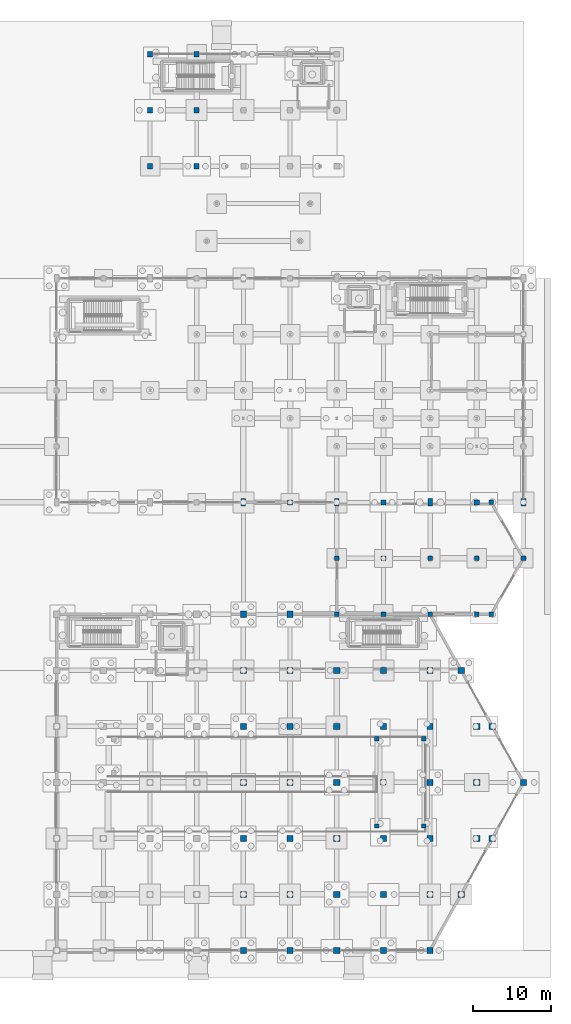
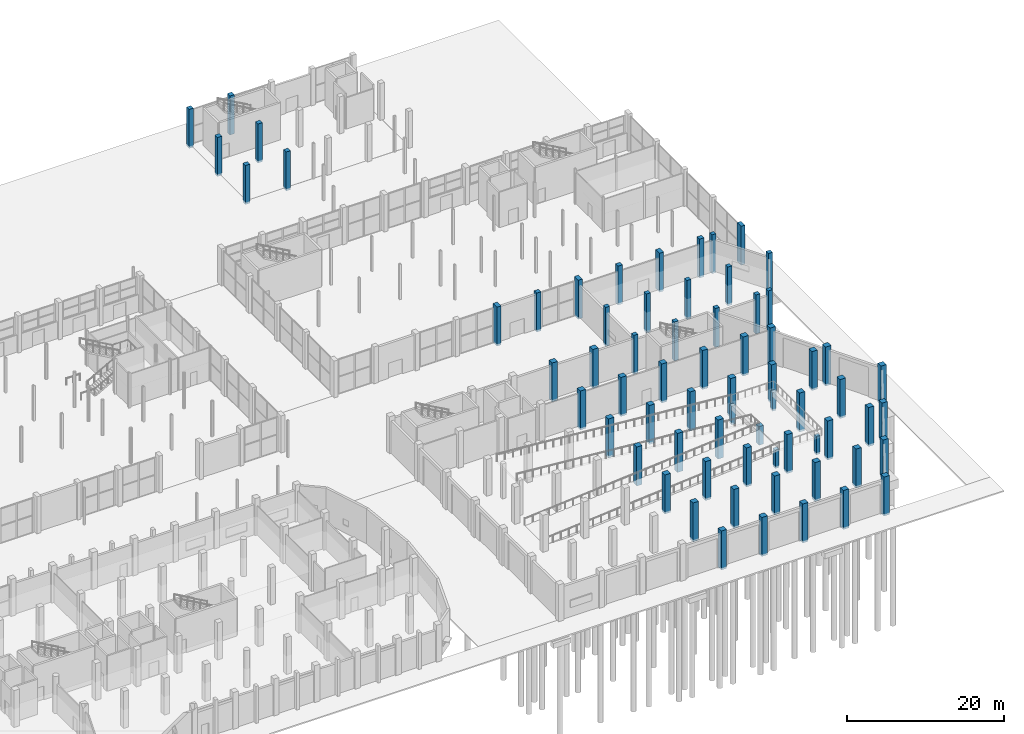
# One storey, part 31 of 103: 68 columns.
"""IFC4 building model written with IfcOpenShell, lengths in metres."""

from ifc_helpers import new_model, si_unit, direction, frame, origin, origin_2d, place, context, subcontext, project, spatial, rectangle, extrude, material, material_profile, profile_set, type_object, element, save


model = new_model("IFC4")

# Units and contexts
model_context = context("Model", 3, precision=1e-05, world=origin(), true_north=direction((0.0, 1.0)))
body_context = subcontext(model_context, "Body", "Model", "MODEL_VIEW")
ifc_project = project(units=[si_unit("LENGTHUNIT", "METRE"), si_unit("AREAUNIT", "SQUARE_METRE"), si_unit("VOLUMEUNIT", "CUBIC_METRE"), si_unit("PLANEANGLEUNIT", "RADIAN"), si_unit("MASSUNIT", "GRAM", prefix="KILO")], contexts=[model_context])

# Site, building, storey
site_placement = place(None, origin())
site = spatial("IfcSite", under=ifc_project, at=site_placement, CompositionType="ELEMENT")
building_placement = place(site_placement, origin())
building = spatial("IfcBuilding", under=site, at=building_placement, Name="Dunvalen Ferry Terminal", CompositionType="ELEMENT")
storey_placement = place(building_placement, origin())
storey = spatial("IfcBuildingStorey", under=building, at=storey_placement, Name="L00", CompositionType="ELEMENT", Elevation=0.0)

# Columns
ifc_material_1 = material(Name="Concrete C40/50", Category="concrete")
ifc_material_profile_1 = material_profile(ifc_material_1, rectangle(XDim=0.60009765625, YDim=1.0, at=origin_2d()), Name="Concrete C40/50")
ifc_profile_set_1 = profile_set([ifc_material_profile_1], Name="Concrete C40/50")
column_type_1 = type_object("IfcColumnType", Name="STR-COL-PIER1000", PredefinedType="COLUMN", material=ifc_profile_set_1)
for number, where, z_axis, x_axis, name in (
    (1, (132.0, 57.60009765625, -0.320068359375), (0.0, 0.0, 1.0), (1.0, 0.0, 0.0), "L00 Arrivals Hall Pier 05"),
    (2, (144.0, 57.60009765625, -0.320068359375), (0.0, 0.0, 1.0), (1.0, 0.0, 0.0), "L00 Arrivals Hall Pier 07"),
    (3, (156.0, 57.60009765625, -0.320068359375), (0.0, 0.0, 1.0), (1.0, 0.0, 0.0), "L00 Arrivals Hall Pier 09"),
    (4, (168.0, 57.60009765625, -0.320068359375), (0.0, 0.0, 1.0), (1.0, 0.0, 0.0), "L00 Arrivals Hall Pier 11"),
):
    element("IfcColumn", number, at=place(storey_placement, frame(where, z_axis=z_axis, x_axis=x_axis)), inside=storey, type_object=column_type_1, Name=name, PredefinedType="COLUMN", context=body_context, shape_type="SweptSolid", body=[
        extrude(rectangle(XDim=0.60009765625, YDim=1.0, at=origin_2d()), origin(), (0.0, 0.0, 1.0), 6.080078125),
    ])
ifc_material_2 = material(Name="Concrete C35/45", Category="concrete")
ifc_material_profile_2 = material_profile(ifc_material_2, rectangle(XDim=0.550048828125, YDim=0.550048828125, at=origin_2d()), Name="Concrete C35/45")
ifc_profile_set_2 = profile_set([ifc_material_profile_2], Name="Concrete C35/45")
column_type_2 = type_object("IfcColumnType", Name="STR-COL-RC550", PredefinedType="COLUMN", material=ifc_profile_set_2)
for number, where, z_axis, x_axis, name in (
    (5, (149.159912109375, 16.0, -0.320068359375), (0.0, 0.0, 1.0), (1.0, 0.0, 0.0), "L00 Vehicle Ramp Bearing Pier 01"),
    (6, (149.159912109375, 27.199951171875, -0.320068359375), (0.0, 0.0, 1.0), (1.0, 0.0, 0.0), "L00 Vehicle Ramp Bearing Pier 02"),
    (7, (155.199951171875, 16.0, -0.320068359375), (0.0, 0.0, 1.0), (1.0, 0.0, 0.0), "L00 Vehicle Ramp Bearing Pier 03"),
    (8, (155.199951171875, 27.199951171875, -0.320068359375), (0.0, 0.0, 1.0), (1.0, 0.0, 0.0), "L00 Vehicle Ramp Bearing Pier 04"),
):
    element("IfcColumn", number, at=place(storey_placement, frame(where, z_axis=z_axis, x_axis=x_axis)), inside=storey, type_object=column_type_2, Name=name, PredefinedType="COLUMN", context=body_context, shape_type="SweptSolid", body=[
        extrude(rectangle(XDim=0.550048828125, YDim=0.550048828125, at=origin_2d()), origin(), (0.0, 0.0, 1.0), 2.900146484375),
    ])
ifc_material_profile_3 = material_profile(ifc_material_1, rectangle(XDim=0.60009765625, YDim=0.60009765625, at=origin_2d()), Name="Concrete C40/50")
ifc_profile_set_3 = profile_set([ifc_material_profile_3], Name="Concrete C40/50")
column_type_3 = type_object("IfcColumnType", Name="STR-COL-RC600", PredefinedType="COLUMN", material=ifc_profile_set_3)
for number, where, z_axis, x_axis, name in (
    (9, (144.0, 43.199951171875, -0.320068359375), (0.0, 0.0, 1.0), (1.0, 0.0, 0.0), "L00 Customs Annex Column 01"),
    (10, (144.0, 50.39990234375, -0.320068359375), (0.0, 0.0, 1.0), (1.0, 0.0, 0.0), "L00 Customs Annex Column 02"),
    (11, (150.0, 43.199951171875, -0.320068359375), (0.0, 0.0, 1.0), (1.0, 0.0, 0.0), "L00 Customs Annex Column 04"),
    (12, (150.0, 50.39990234375, -0.320068359375), (0.0, 0.0, 1.0), (1.0, 0.0, 0.0), "L00 Customs Annex Column 05"),
    (13, (156.0, 43.199951171875, -0.320068359375), (0.0, 0.0, 1.0), (1.0, 0.0, 0.0), "L00 Customs Annex Column 07"),
    (14, (156.0, 50.39990234375, -0.320068359375), (0.0, 0.0, 1.0), (1.0, 0.0, 0.0), "L00 Customs Annex Column 08"),
    (15, (162.0, 43.199951171875, -0.320068359375), (0.0, 0.0, 1.0), (1.0, 0.0, 0.0), "L00 Customs Annex Column 10"),
    (16, (162.0, 50.39990234375, -0.320068359375), (0.0, 0.0, 1.0), (1.0, 0.0, 0.0), "L00 Customs Annex Column 11"),
    (17, (163.843017578125, 43.199951171875, -0.320068359375), (0.0, 0.0, 1.0), (1.0, 0.0, 0.0), "L00 Customs Annex Column 13"),
    (18, (163.843017578125, 57.60009765625, -0.320068359375), (0.0, 0.0, 1.0), (1.0, 0.0, 0.0), "L00 Customs Annex Column 14"),
    (19, (168.0, 50.39990234375, -0.320068359375), (0.0, 0.0, 1.0), (1.0, 0.0, 0.0), "L00 Customs Annex Column 15"),
):
    element("IfcColumn", number, at=place(storey_placement, frame(where, z_axis=z_axis, x_axis=x_axis)), inside=storey, type_object=column_type_3, Name=name, PredefinedType="COLUMN", context=body_context, shape_type="SweptSolid", body=[
        extrude(rectangle(XDim=0.60009765625, YDim=0.60009765625, at=origin_2d()), origin(), (0.0, 0.0, 1.0), 6.080078125),
    ])
ifc_material_profile_4 = material_profile(ifc_material_1, rectangle(XDim=0.64990234375, YDim=0.64990234375, at=origin_2d()), Name="Concrete C40/50")
ifc_profile_set_4 = profile_set([ifc_material_profile_4], Name="Concrete C40/50")
column_type_4 = type_object("IfcColumnType", Name="STR-COL-RC650", PredefinedType="COLUMN", material=ifc_profile_set_4)
for number, where, z_axis, x_axis, name in (
    (20, (138.0, 57.60009765625, -0.320068359375), (0.0, 0.0, 1.0), (1.0, 0.0, 0.0), "L00 Arrivals Hall Pier 06"),
    (21, (150.0, 57.60009765625, -0.320068359375), (0.0, 0.0, 1.0), (1.0, 0.0, 0.0), "L00 Arrivals Hall Pier 08"),
    (22, (162.0, 57.60009765625, -0.320068359375), (0.0, 0.0, 1.0), (1.0, 0.0, 0.0), "L00 Arrivals Hall Pier 10"),
    (23, (120.0, 100.800048828125, -0.320068359375), (0.0, 0.0, 1.0), (1.0, 0.0, 0.0), "L00 Berth Pavilion 2 Column 01"),
    (24, (120.0, 108.0, -0.320068359375), (0.0, 0.0, 1.0), (1.0, 0.0, 0.0), "L00 Berth Pavilion 2 Column 02"),
    (25, (120.0, 115.199951171875, -0.320068359375), (0.0, 0.0, 1.0), (1.0, 0.0, 0.0), "L00 Berth Pavilion 2 Column 03"),
    (26, (126.0, 100.800048828125, -0.320068359375), (0.0, 0.0, 1.0), (1.0, 0.0, 0.0), "L00 Berth Pavilion 2 Column 04"),
    (27, (126.0, 108.0, -0.320068359375), (0.0, 0.0, 1.0), (1.0, 0.0, 0.0), "L00 Berth Pavilion 2 Column 05"),
    (28, (126.0, 115.199951171875, -0.320068359375), (0.0, 0.0, 1.0), (1.0, 0.0, 0.0), "L00 Berth Pavilion 2 Column 06"),
):
    element("IfcColumn", number, at=place(storey_placement, frame(where, z_axis=z_axis, x_axis=x_axis)), inside=storey, type_object=column_type_4, Name=name, PredefinedType="COLUMN", context=body_context, shape_type="SweptSolid", body=[
        extrude(rectangle(XDim=0.64990234375, YDim=0.64990234375, at=origin_2d()), origin(), (0.0, 0.0, 1.0), 6.080078125),
    ])
ifc_material_profile_5 = material_profile(ifc_material_1, rectangle(XDim=0.699951171875, YDim=0.699951171875, at=origin_2d()), Name="Concrete C40/50")
ifc_profile_set_5 = profile_set([ifc_material_profile_5], Name="Concrete C40/50")
column_type_5 = type_object("IfcColumnType", Name="STR-COL-RC700", PredefinedType="COLUMN", material=ifc_profile_set_5)
column_placement = place(storey_placement, frame((150.0, 21.60009765625, -0.320068359375), z_axis=(0.0, 0.0, 1.0), x_axis=(1.0, 0.0, 0.0)))
element("IfcColumn", 29, at=column_placement, inside=storey, type_object=column_type_5, Name="L00 Vehicle Ramp Mid-Landing Support Column", PredefinedType="COLUMN", context=body_context, shape_type="SweptSolid", body=[
    extrude(rectangle(XDim=0.699951171875, YDim=0.699951171875, at=origin_2d()), origin(), (0.0, 0.0, 1.0), 2.900146484375),
])
ifc_material_profile_6 = material_profile(ifc_material_1, rectangle(XDim=0.800048828125, YDim=0.800048828125, at=origin_2d()), Name="Concrete C40/50")
ifc_profile_set_6 = profile_set([ifc_material_profile_6], Name="Concrete C40/50")
column_type_6 = type_object("IfcColumnType", Name="STR-COL-RC800", PredefinedType="COLUMN", material=ifc_profile_set_6)
for number, where, z_axis, x_axis, name in (
    (30, (132.0, 0.0, -0.320068359375), (0.0, 0.0, 1.0), (1.0, 0.0, 0.0), "L00 Vehicle Marshalling Column 28"),
    (31, (132.0, 7.199951171875, -0.320068359375), (0.0, 0.0, 1.0), (1.0, 0.0, 0.0), "L00 Vehicle Marshalling Column 29"),
    (32, (132.0, 14.39990234375, -0.320068359375), (0.0, 0.0, 1.0), (1.0, 0.0, 0.0), "L00 Vehicle Marshalling Column 30"),
    (33, (132.0, 21.60009765625, -0.320068359375), (0.0, 0.0, 1.0), (1.0, 0.0, 0.0), "L00 Vehicle Marshalling Column 31"),
    (34, (132.0, 28.800048828125, -0.320068359375), (0.0, 0.0, 1.0), (1.0, 0.0, 0.0), "L00 Vehicle Marshalling Column 32"),
    (35, (132.0, 36.0, -0.320068359375), (0.0, 0.0, 1.0), (1.0, 0.0, 0.0), "L00 Vehicle Marshalling Column 33"),
    (36, (132.0, 43.199951171875, -0.320068359375), (0.0, 0.0, 1.0), (1.0, 0.0, 0.0), "L00 Vehicle Marshalling Column 34"),
    (37, (138.0, 0.0, -0.320068359375), (0.0, 0.0, 1.0), (1.0, 0.0, 0.0), "L00 Vehicle Marshalling Column 35"),
    (38, (138.0, 7.199951171875, -0.320068359375), (0.0, 0.0, 1.0), (1.0, 0.0, 0.0), "L00 Vehicle Marshalling Column 36"),
    (39, (138.0, 14.39990234375, -0.320068359375), (0.0, 0.0, 1.0), (1.0, 0.0, 0.0), "L00 Vehicle Marshalling Column 37"),
    (40, (138.0, 21.60009765625, -0.320068359375), (0.0, 0.0, 1.0), (1.0, 0.0, 0.0), "L00 Vehicle Marshalling Column 38"),
    (41, (138.0, 28.800048828125, -0.320068359375), (0.0, 0.0, 1.0), (1.0, 0.0, 0.0), "L00 Vehicle Marshalling Column 39"),
    (42, (138.0, 36.0, -0.320068359375), (0.0, 0.0, 1.0), (1.0, 0.0, 0.0), "L00 Vehicle Marshalling Column 40"),
    (43, (138.0, 43.199951171875, -0.320068359375), (0.0, 0.0, 1.0), (1.0, 0.0, 0.0), "L00 Vehicle Marshalling Column 41"),
    (44, (144.0, 0.0, -0.320068359375), (0.0, 0.0, 1.0), (1.0, 0.0, 0.0), "L00 Vehicle Marshalling Column 42"),
    (45, (144.0, 7.199951171875, -0.320068359375), (0.0, 0.0, 1.0), (1.0, 0.0, 0.0), "L00 Vehicle Marshalling Column 43"),
    (46, (144.0, 14.39990234375, -0.320068359375), (0.0, 0.0, 1.0), (1.0, 0.0, 0.0), "L00 Vehicle Marshalling Column 44"),
    (47, (144.0, 21.60009765625, -0.320068359375), (0.0, 0.0, 1.0), (1.0, 0.0, 0.0), "L00 Vehicle Marshalling Column 45"),
    (48, (144.0, 28.800048828125, -0.320068359375), (0.0, 0.0, 1.0), (1.0, 0.0, 0.0), "L00 Vehicle Marshalling Column 46"),
    (49, (144.0, 36.0, -0.320068359375), (0.0, 0.0, 1.0), (1.0, 0.0, 0.0), "L00 Vehicle Marshalling Column 47"),
    (50, (150.0, 0.0, -0.320068359375), (0.0, 0.0, 1.0), (1.0, 0.0, 0.0), "L00 Vehicle Marshalling Column 49"),
    (51, (150.0, 7.199951171875, -0.320068359375), (0.0, 0.0, 1.0), (1.0, 0.0, 0.0), "L00 Vehicle Marshalling Column 50"),
    (52, (150.0, 14.39990234375, -0.320068359375), (0.0, 0.0, 1.0), (1.0, 0.0, 0.0), "L00 Vehicle Marshalling Column 51"),
    (53, (150.0, 28.800048828125, -0.320068359375), (0.0, 0.0, 1.0), (1.0, 0.0, 0.0), "L00 Vehicle Marshalling Column 52"),
    (54, (150.0, 36.0, -0.320068359375), (0.0, 0.0, 1.0), (1.0, 0.0, 0.0), "L00 Vehicle Marshalling Column 53"),
    (55, (156.0, 0.0, -0.320068359375), (0.0, 0.0, 1.0), (1.0, 0.0, 0.0), "L00 Vehicle Marshalling Column 55"),
    (56, (156.0, 7.199951171875, -0.320068359375), (0.0, 0.0, 1.0), (1.0, 0.0, 0.0), "L00 Vehicle Marshalling Column 56"),
    (57, (156.0, 14.39990234375, -0.320068359375), (0.0, 0.0, 1.0), (1.0, 0.0, 0.0), "L00 Vehicle Marshalling Column 57"),
    (58, (156.0, 21.60009765625, -0.320068359375), (0.0, 0.0, 1.0), (1.0, 0.0, 0.0), "L00 Vehicle Marshalling Column 58"),
    (59, (156.0, 28.800048828125, -0.320068359375), (0.0, 0.0, 1.0), (1.0, 0.0, 0.0), "L00 Vehicle Marshalling Column 59"),
    (60, (156.0, 36.0, -0.320068359375), (0.0, 0.0, 1.0), (1.0, 0.0, 0.0), "L00 Vehicle Marshalling Column 60"),
    (61, (160.0, 7.199951171875, -0.320068359375), (0.0, 0.0, 1.0), (1.0, 0.0, 0.0), "L00 Vehicle Marshalling Column 62"),
    (62, (160.0, 36.0, -0.320068359375), (0.0, 0.0, 1.0), (1.0, 0.0, 0.0), "L00 Vehicle Marshalling Column 63"),
    (63, (162.0, 14.39990234375, -0.320068359375), (0.0, 0.0, 1.0), (1.0, 0.0, 0.0), "L00 Vehicle Marshalling Column 64"),
    (64, (162.0, 21.60009765625, -0.320068359375), (0.0, 0.0, 1.0), (1.0, 0.0, 0.0), "L00 Vehicle Marshalling Column 65"),
    (65, (162.0, 28.800048828125, -0.320068359375), (0.0, 0.0, 1.0), (1.0, 0.0, 0.0), "L00 Vehicle Marshalling Column 66"),
    (66, (164.0, 14.39990234375, -0.320068359375), (0.0, 0.0, 1.0), (1.0, 0.0, 0.0), "L00 Vehicle Marshalling Column 67"),
    (67, (164.0, 28.800048828125, -0.320068359375), (0.0, 0.0, 1.0), (1.0, 0.0, 0.0), "L00 Vehicle Marshalling Column 68"),
    (68, (168.0, 21.60009765625, -0.320068359375), (0.0, 0.0, 1.0), (1.0, 0.0, 0.0), "L00 Vehicle Marshalling Column 69"),
):
    element("IfcColumn", number, at=place(storey_placement, frame(where, z_axis=z_axis, x_axis=x_axis)), inside=storey, type_object=column_type_6, Name=name, PredefinedType="COLUMN", context=body_context, shape_type="SweptSolid", body=[
        extrude(rectangle(XDim=0.800048828125, YDim=0.800048828125, at=origin_2d()), origin(), (0.0, 0.0, 1.0), 6.080078125),
    ])

save(model, "model.ifc")
